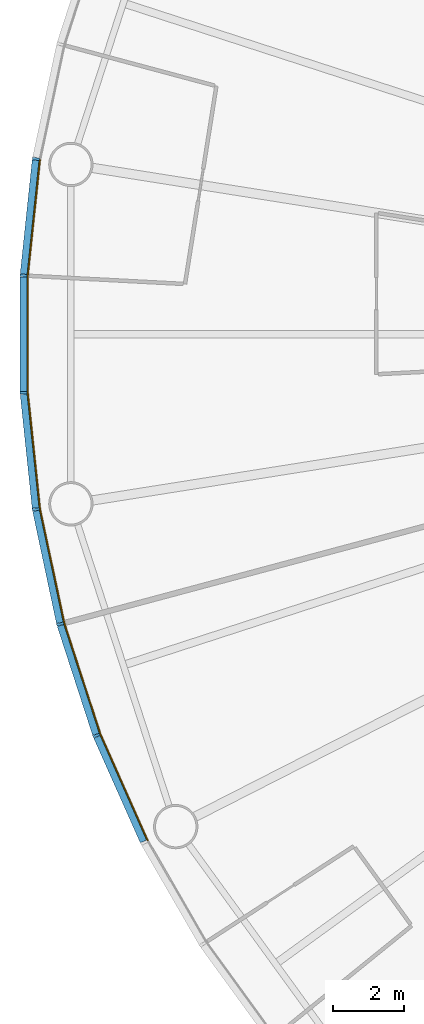
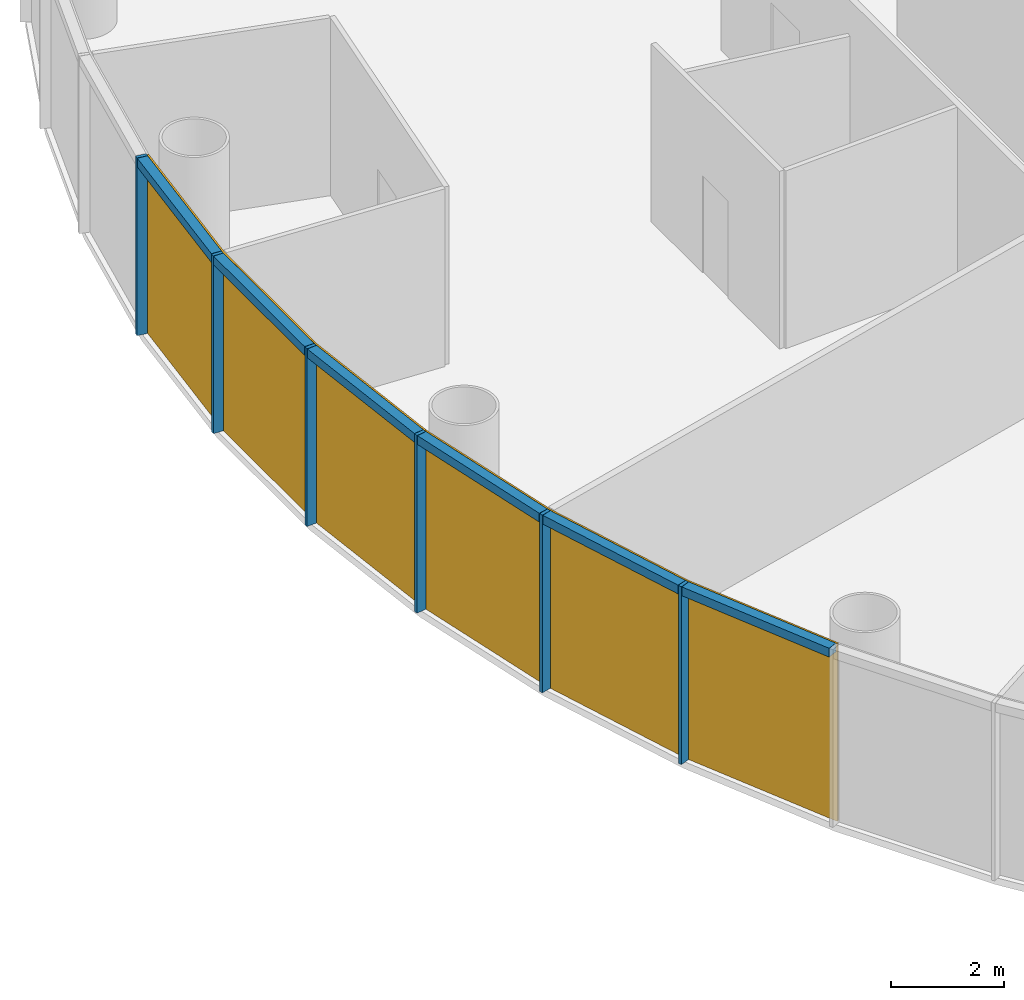
# One storey, part 8 of 13: 12 members, 2 curtain walls.
"""IFC4 building model written with IfcOpenShell, lengths in metres."""

import ifcopenshell
import ifcopenshell.guid

model = None  # the IFC model being written
_history = None  # IfcOwnerHistory: only IFC2X3 demands one
_inside = {}  # id of a spatial element -> (the spatial element, [elements in it])
_under = {}  # id of a project, library or spatial element -> (it, [spatial elements below it])
_declared = {}  # id of a project -> (the project, [libraries it declares])
_typed = {}  # id of a type object -> (the type object, [elements of that type])
_made_of = {}  # id of a material, layer set ... -> (it, [elements and type objects made of it])


def new_model(schema):
    """Start an empty IFC model of exactly this schema.

    Asked for "IFC4X3", IfcOpenShell would pick the latest addendum, in which some entities
    have other attributes; the version numbers below select the first issue.
    IFC2X3 requires an IfcOwnerHistory on every rooted entity: one is made here for all.
    """
    global model, _history
    if schema == "IFC4X3":
        model = ifcopenshell.file(schema_version=(4, 3, 0, 0))
    else:
        model = ifcopenshell.file(schema=schema)
    _inside.clear()
    _under.clear()
    _declared.clear()
    _typed.clear()
    _made_of.clear()
    _history = None
    if model.schema == "IFC2X3":
        org = make("IfcOrganization", Name="unknown")
        user = make(
            "IfcPersonAndOrganization",
            ThePerson=make("IfcPerson", FamilyName="unknown"),
            TheOrganization=org,
        )
        app = make(
            "IfcApplication",
            ApplicationDeveloper=org,
            Version="unknown",
            ApplicationFullName="unknown",
            ApplicationIdentifier="unknown",
        )
        _history = make(
            "IfcOwnerHistory",
            OwningUser=user,
            OwningApplication=app,
            ChangeAction="ADDED",
            CreationDate=0,
        )
    return model


def make(cls, **values):
    """One entity of the class cls with the attributes given. An attribute that is None is left unset."""
    return model.create_entity(
        cls, **{name: value for name, value in values.items() if value is not None}
    )


def rooted(cls, **values):
    """An entity with a GlobalId (a new one), such as an element, a storey or a relation."""
    return make(cls, GlobalId=ifcopenshell.guid.new(), OwnerHistory=_history, **values)


def si_unit(unit_type, name, prefix=None):
    """IfcSIUnit, for example si_unit("LENGTHUNIT", "METRE", prefix="MILLI")."""
    return make("IfcSIUnit", UnitType=unit_type, Prefix=prefix, Name=name)


def assignment(units):
    """IfcUnitAssignment: the units of a project."""
    return None if units is None else make("IfcUnitAssignment", Units=units)


def point(xyz):
    """IfcCartesianPoint."""
    return None if xyz is None else make("IfcCartesianPoint", Coordinates=xyz)


def direction(xyz):
    """IfcDirection."""
    return None if xyz is None else make("IfcDirection", DirectionRatios=xyz)


def frame(location, z_axis=None, x_axis=None):
    """IfcAxis2Placement3D, a coordinate frame: its origin and axes. An axis left out is left unset."""
    return make(
        "IfcAxis2Placement3D",
        Location=point(location),
        Axis=direction(z_axis),
        RefDirection=direction(x_axis),
    )


def frame_2d(location, x_axis=None):
    """IfcAxis2Placement2D, a coordinate frame in the plane: its origin and x axis."""
    return make(
        "IfcAxis2Placement2D", Location=point(location), RefDirection=direction(x_axis)
    )


def origin():
    """The frame at (0, 0, 0) with its axes left unset."""
    return frame((0.0, 0.0, 0.0))


def origin_2d():
    """The frame at (0, 0) in the plane with its x axis left unset."""
    return frame_2d((0.0, 0.0))


def place(relative_to, where):
    """IfcLocalPlacement: puts the frame where relative to a parent placement (None: the world)."""
    return make(
        "IfcLocalPlacement", PlacementRelTo=relative_to, RelativePlacement=where
    )


def context(
    kind, dimensions, precision=None, world=None, true_north=None, identifier=None
):
    """IfcGeometricRepresentationContext, for example the 3D "Model" context."""
    return make(
        "IfcGeometricRepresentationContext",
        ContextIdentifier=identifier,
        ContextType=kind,
        CoordinateSpaceDimension=dimensions,
        Precision=precision,
        WorldCoordinateSystem=world,
        TrueNorth=true_north,
    )


def subcontext(parent, identifier, kind, view, scale=None):
    """IfcGeometricRepresentationSubContext, for example "Body" below "Model"."""
    return make(
        "IfcGeometricRepresentationSubContext",
        ContextIdentifier=identifier,
        ContextType=kind,
        ParentContext=parent,
        TargetScale=scale,
        TargetView=view,
    )


def project(units=None, contexts=None):
    """IfcProject with its units and contexts."""
    return rooted(
        "IfcProject",
        Name="project",
        RepresentationContexts=contexts,
        UnitsInContext=assignment(units),
    )


def spatial(cls, under=None, at=None, **own):
    """A site, building, storey or space (cls), placed at a placement, below another one or the project."""
    s = rooted(cls, ObjectPlacement=at, **own)
    if under is not None:
        _under.setdefault(under.id(), (under, []))[1].append(s)
    return s


def polyline(points):
    """IfcPolyline through the points."""
    return make("IfcPolyline", Points=[point(p) for p in points])


def profile(cls, at=None, kind="AREA", **sizes):
    """A parametric profile (cls). Its sizes go by their IFC names, for example OverallWidth=200.0."""
    return make(cls, ProfileType=kind, Position=at, **sizes)


def rectangle(**sizes):
    """IfcRectangleProfileDef."""
    return profile("IfcRectangleProfileDef", **sizes)


def outline(outer, holes=None, kind="AREA"):
    """IfcArbitraryClosedProfileDef: a profile drawn as a closed curve; with holes, ...WithVoids."""
    if holes is None:
        return make("IfcArbitraryClosedProfileDef", ProfileType=kind, OuterCurve=outer)
    return make(
        "IfcArbitraryProfileDefWithVoids",
        ProfileType=kind,
        OuterCurve=outer,
        InnerCurves=holes,
    )


def extrude(swept, where, along, depth):
    """IfcExtrudedAreaSolid: the profile swept, set in the frame where, extruded along a direction by depth."""
    return make(
        "IfcExtrudedAreaSolid",
        SweptArea=swept,
        Position=where,
        ExtrudedDirection=direction(along),
        Depth=depth,
    )


def shape(context_of_items, identifier, shape_type, items):
    """IfcShapeRepresentation: the items that make up one representation, for example the "Body"."""
    return make(
        "IfcShapeRepresentation",
        ContextOfItems=context_of_items,
        RepresentationIdentifier=identifier,
        RepresentationType=shape_type,
        Items=items,
    )


def material(Name=None, Category=None):
    """IfcMaterial."""
    return make("IfcMaterial", Name=Name, Category=Category)


def layer(
    of_material, thickness, ventilated=None, Name=None, Category=None, Priority=None
):
    """IfcMaterialLayer: one layer of a wall or slab, of a material (None: an air gap)."""
    return make(
        "IfcMaterialLayer",
        Material=of_material,
        LayerThickness=thickness,
        IsVentilated=ventilated,
        Name=Name,
        Category=Category,
        Priority=Priority,
    )


def layer_set(layers, Name=None):
    """IfcMaterialLayerSet."""
    return make("IfcMaterialLayerSet", MaterialLayers=layers, LayerSetName=Name)


def material_profile(
    of_material, cross_section, Name=None, Category=None, Priority=None
):
    """IfcMaterialProfile: a cross section and its material."""
    return make(
        "IfcMaterialProfile",
        Name=Name,
        Material=of_material,
        Profile=cross_section,
        Priority=Priority,
        Category=Category,
    )


def profile_set(profiles, Name=None, composite=None):
    """IfcMaterialProfileSet."""
    return make(
        "IfcMaterialProfileSet",
        Name=Name,
        MaterialProfiles=profiles,
        CompositeProfile=composite,
    )


def made_of(thing, what):
    """Note that an element or type object is made of a material, layer set ...; save() writes the relation."""
    if what is not None:
        _made_of.setdefault(what.id(), (what, []))[1].append(thing)
    return thing


def type_object(cls, material=None, **own):
    """A type object (cls), such as IfcWallType, which elements share."""
    return made_of(rooted(cls, **own), material)


def element(
    cls,
    number,
    at=None,
    inside=None,
    cuts=None,
    type_object=None,
    material=None,
    context=None,
    identifier="Body",
    shape_type=None,
    held_by="IfcProductDefinitionShape",
    body=None,
    shapes=None,
    **own,
):
    """One element of the class cls, such as IfcWall. Its Tag is "e" and its number.

    at: its placement. inside: the storey or other place that contains it. cuts: it is an
    opening in that element (IfcRelVoidsElement). A single representation is given by context,
    identifier, shape_type and body (its items); several are given by shapes. held_by: the class
    of the entity that holds the representations. save() writes the other relations.
    """
    e = rooted(cls, Tag="e%d" % number, ObjectPlacement=at, **own)
    if body is not None:
        shapes = [shape(context, identifier, shape_type, body)]
    if shapes is not None:
        e.Representation = make(held_by, Representations=shapes)
    if inside is not None:
        _inside.setdefault(inside.id(), (inside, []))[1].append(e)
    if cuts is not None:
        rooted(
            "IfcRelVoidsElement", RelatingBuildingElement=cuts, RelatedOpeningElement=e
        )
    if type_object is not None:
        _typed.setdefault(type_object.id(), (type_object, []))[1].append(e)
    return made_of(e, material)


def aggregate(whole, parts):
    """IfcRelAggregates: a whole, such as a stair, and the parts it consists of."""
    return rooted("IfcRelAggregates", RelatingObject=whole, RelatedObjects=parts)


def save(model, path):
    """Write the relations noted so far, then the file.

    IfcRelAggregates (storeys below a building ...), IfcRelContainedInSpatialStructure (elements
    in a storey), IfcRelDefinesByType, IfcRelAssociatesMaterial and IfcRelDeclares: one each for
    every whole, place, type object, material and project.
    """
    for whole, parts in _under.values():
        aggregate(whole, parts)
    for where, things in _inside.values():
        rooted(
            "IfcRelContainedInSpatialStructure",
            RelatedElements=things,
            RelatingStructure=where,
        )
    for kind, things in _typed.values():
        rooted("IfcRelDefinesByType", RelatedObjects=things, RelatingType=kind)
    for what, things in _made_of.values():
        rooted("IfcRelAssociatesMaterial", RelatedObjects=things, RelatingMaterial=what)
    for by, libraries in _declared.values():
        rooted("IfcRelDeclares", RelatingContext=by, RelatedDefinitions=libraries)
    model.write(path)


model = new_model("IFC4")

# Units and contexts
model_context = context("Model", 3, precision=1e-05, world=origin(), true_north=direction((0.0, 1.0)))
body_context = subcontext(model_context, "Body", "Model", "MODEL_VIEW")
ifc_project = project(units=[si_unit("LENGTHUNIT", "METRE"), si_unit("AREAUNIT", "SQUARE_METRE"), si_unit("VOLUMEUNIT", "CUBIC_METRE"), si_unit("PLANEANGLEUNIT", "RADIAN"), si_unit("MASSUNIT", "GRAM", prefix="KILO")], contexts=[model_context])

# Member
ifc_material_1 = material(Name="Anodised aluminium", Category="aluminium")
ifc_material_profile_1 = material_profile(ifc_material_1, rectangle(XDim=0.070068359375, YDim=0.199951171875, at=origin_2d()), Name="Mullion 70 x 200 mm anodised aluminium")
ifc_profile_set_1 = profile_set([ifc_material_profile_1], Name="Anodised aluminium")
member_type_1 = type_object("IfcMemberType", Name="Mullion 70 x 200 mm anodised aluminium", PredefinedType="MULLION", material=ifc_profile_set_1)
site_placement = place(None, origin())
building_placement = place(site_placement, origin())
storey_placement = place(building_placement, frame((0.0, 0.0, 84.0)))
member_1_placement = place(storey_placement, frame((58.7890625, 84.943359375, 0.0), z_axis=(0.0, 0.0, 1.0), x_axis=(-0.15643446504, -0.987688340595, 0.0)))
member_1 = element("IfcMember", 1, at=member_1_placement, type_object=member_type_1, Name="MULLION L18-27", PredefinedType="MULLION", context=body_context, shape_type="SweptSolid", body=[
    extrude(rectangle(XDim=0.070068359375, YDim=0.199951171875, at=origin_2d()), origin(), (0.0, 0.0, 1.0), 3.85009765625),
])

member_2_placement = place(storey_placement, frame((58.443359375, 81.65380859375, 0.0), z_axis=(0.0, 0.0, 1.0), x_axis=(-0.052335956243, -0.998629534755, 0.0)))
member_2 = element("IfcMember", 2, at=member_2_placement, type_object=member_type_1, Name="MULLION L18-28", PredefinedType="MULLION", context=body_context, shape_type="SweptSolid", body=[
    extrude(rectangle(XDim=0.070068359375, YDim=0.199951171875, at=origin_2d()), origin(), (0.0, 0.0, 1.0), 3.85009765625),
])

member_3_placement = place(storey_placement, frame((58.443359375, 78.34619140625, 0.0), z_axis=(0.0, 0.0, 1.0), x_axis=(0.052335956243, -0.998629534755, 0.0)))
member_3 = element("IfcMember", 3, at=member_3_placement, type_object=member_type_1, Name="MULLION L18-29", PredefinedType="MULLION", context=body_context, shape_type="SweptSolid", body=[
    extrude(rectangle(XDim=0.070068359375, YDim=0.199951171875, at=origin_2d()), origin(), (0.0, 0.0, 1.0), 3.85009765625),
])

member_4_placement = place(storey_placement, frame((58.7890625, 75.056640625, 0.0), z_axis=(0.0, 0.0, 1.0), x_axis=(0.15643446504, -0.987688340595, 0.0)))
member_4 = element("IfcMember", 4, at=member_4_placement, type_object=member_type_1, Name="MULLION L18-30", PredefinedType="MULLION", context=body_context, shape_type="SweptSolid", body=[
    extrude(rectangle(XDim=0.070068359375, YDim=0.199951171875, at=origin_2d()), origin(), (0.0, 0.0, 1.0), 3.85009765625),
])

member_5_placement = place(storey_placement, frame((59.476806640625, 71.8212890625, 0.0), z_axis=(0.0, 0.0, 1.0), x_axis=(0.258819045103, -0.965925826289, 0.0)))
member_5 = element("IfcMember", 5, at=member_5_placement, type_object=member_type_1, Name="MULLION L18-31", PredefinedType="MULLION", context=body_context, shape_type="SweptSolid", body=[
    extrude(rectangle(XDim=0.070068359375, YDim=0.199951171875, at=origin_2d()), origin(), (0.0, 0.0, 1.0), 3.85009765625),
])

member_6_placement = place(storey_placement, frame((60.498779296875, 68.675537109375, 0.0), z_axis=(0.0, 0.0, 1.0), x_axis=(0.358367949545, -0.933580426497, 0.0)))
member_6 = element("IfcMember", 6, at=member_6_placement, type_object=member_type_1, Name="MULLION L18-32", PredefinedType="MULLION", context=body_context, shape_type="SweptSolid", body=[
    extrude(rectangle(XDim=0.070068359375, YDim=0.199951171875, at=origin_2d()), origin(), (0.0, 0.0, 1.0), 3.85009765625),
])

ifc_material_2 = material(Name="Anodised aluminium", Category="aluminium")
ifc_material_profile_2 = material_profile(ifc_material_2, rectangle(XDim=0.199951171875, YDim=0.18994140625, at=origin_2d()), Name="Transom 190 x 200 mm anodised aluminium")
ifc_profile_set_2 = profile_set([ifc_material_profile_2], Name="Anodised aluminium")
member_type_2 = type_object("IfcMemberType", Name="Transom 190 x 200 mm anodised aluminium", PredefinedType="USERDEFINED", material=ifc_profile_set_2)
member_7_placement = place(storey_placement, frame((58.78466796875, 84.9033203125, 3.7548828125), z_axis=(-0.104550890115, -0.994519537956, 0.0), x_axis=(0.994519537956, -0.104550890115, 0.0)))
member_7 = element("IfcMember", 7, at=member_7_placement, type_object=member_type_2, Name="TRANSOM L18-27", ObjectType="TRANSOM", PredefinedType="USERDEFINED", context=body_context, shape_type="SweptSolid", body=[
    extrude(rectangle(XDim=0.199951171875, YDim=0.18994140625, at=origin_2d()), origin(), (0.0, 0.0, 1.0), 3.22705078125),
])

member_8_placement = place(storey_placement, frame((58.443115234375, 81.613525390625, 3.7548828125), z_axis=(0.0, -1.0, 0.0), x_axis=(1.0, 0.0, 0.0)))
member_8 = element("IfcMember", 8, at=member_8_placement, type_object=member_type_2, Name="TRANSOM L18-28", ObjectType="TRANSOM", PredefinedType="USERDEFINED", context=body_context, shape_type="SweptSolid", body=[
    extrude(rectangle(XDim=0.199951171875, YDim=0.18994140625, at=origin_2d()), origin(), (0.0, 0.0, 1.0), 3.22705078125),
])

member_9_placement = place(storey_placement, frame((58.447265625, 78.30615234375, 3.7548828125), z_axis=(0.104550890115, -0.994519537956, 0.0), x_axis=(0.994519537956, 0.104550890115, 0.0)))
member_9 = element("IfcMember", 9, at=member_9_placement, type_object=member_type_2, Name="TRANSOM L18-29", ObjectType="TRANSOM", PredefinedType="USERDEFINED", context=body_context, shape_type="SweptSolid", body=[
    extrude(rectangle(XDim=0.199951171875, YDim=0.18994140625, at=origin_2d()), origin(), (0.0, 0.0, 1.0), 3.22705078125),
])

member_10_placement = place(storey_placement, frame((58.79736328125, 75.017333984375, 3.7548828125), z_axis=(0.207885898771, -0.978153082647, 0.0), x_axis=(0.978153082647, 0.207885898771, 0.0)))
member_10 = element("IfcMember", 10, at=member_10_placement, type_object=member_type_2, Name="TRANSOM L18-30", ObjectType="TRANSOM", PredefinedType="USERDEFINED", context=body_context, shape_type="SweptSolid", body=[
    extrude(rectangle(XDim=0.199951171875, YDim=0.18994140625, at=origin_2d()), origin(), (0.0, 0.0, 1.0), 3.227294921875),
])

member_11_placement = place(storey_placement, frame((59.489013671875, 71.782958984375, 3.7548828125), z_axis=(0.309046726844, -0.951046855117, 0.0), x_axis=(0.951046855117, 0.309046726844, 0.0)))
member_11 = element("IfcMember", 11, at=member_11_placement, type_object=member_type_2, Name="TRANSOM L18-31", ObjectType="TRANSOM", PredefinedType="USERDEFINED", context=body_context, shape_type="SweptSolid", body=[
    extrude(rectangle(XDim=0.199951171875, YDim=0.18994140625, at=origin_2d()), origin(), (0.0, 0.0, 1.0), 3.22705078125),
])

member_12_placement = place(storey_placement, frame((60.51513671875, 68.638671875, 3.7548828125), z_axis=(0.406728032322, -0.913549291349, 0.0), x_axis=(0.913549291349, 0.406728032322, 0.0)))
member_12 = element("IfcMember", 12, at=member_12_placement, type_object=member_type_2, Name="TRANSOM L18-32", ObjectType="TRANSOM", PredefinedType="USERDEFINED", context=body_context, shape_type="SweptSolid", body=[
    extrude(rectangle(XDim=0.199951171875, YDim=0.18994140625, at=origin_2d()), origin(), (0.0, 0.0, 1.0), 3.22705078125),
])

# Site, building, storey
site = spatial("IfcSite", under=ifc_project, at=site_placement, CompositionType="ELEMENT")
building = spatial("IfcBuilding", under=site, at=building_placement, Name="Entoto Ring Tower", CompositionType="ELEMENT")
storey = spatial("IfcBuildingStorey", under=building, at=storey_placement, Name="L18", CompositionType="ELEMENT", Elevation=84.0)

# Curtain wall
ifc_material_3 = material(Name="Clear low-iron glass", Category="glass")
ifc_layer = layer(ifc_material_3, 0.035888671875)
ifc_layer_set = layer_set([ifc_layer], Name="Clear low-iron glass")
curtain_wall_type = type_object("IfcCurtainWallType", Name="Curtain wall system CW2 glazing 36 mm", PredefinedType="NOTDEFINED", material=ifc_layer_set)
curtain_wall_1_placement = place(storey_placement, origin())
curtain_wall_1 = element("IfcCurtainWall", 13, at=curtain_wall_1_placement, inside=storey, type_object=curtain_wall_type, Name="CW2 L18-10", PredefinedType="NOTDEFINED", context=body_context, shape_type="SweptSolid", body=[
    extrude(outline(polyline([(58.8876953125, 84.927734375), (58.543212890625, 81.648681640625), (58.543212890625, 78.351318359375), (58.8876953125, 75.072265625), (58.92333984375, 75.077880859375), (58.5791015625, 78.353271484375), (58.5791015625, 81.646728515625), (58.92333984375, 84.922119140625), (58.8876953125, 84.927734375)])), origin(), (0.0, 0.0, 1.0), 3.85009765625),
])

aggregate(curtain_wall_1, [member_1, member_2, member_3, member_7, member_8, member_9])

curtain_wall_2_placement = place(storey_placement, origin())
curtain_wall_2 = element("IfcCurtainWall", 14, at=curtain_wall_2_placement, inside=storey, type_object=curtain_wall_type, Name="CW2 L18-11", PredefinedType="NOTDEFINED", context=body_context, shape_type="SweptSolid", body=[
    extrude(outline(polyline([(58.8876953125, 75.072265625), (59.5732421875, 71.84716796875), (60.59228515625, 68.71142578125), (61.933349609375, 65.69921875), (61.96533203125, 65.715576171875), (60.6259765625, 68.724365234375), (59.608154296875, 71.8564453125), (58.92333984375, 75.077880859375), (58.8876953125, 75.072265625)])), origin(), (0.0, 0.0, 1.0), 3.85009765625),
])

aggregate(curtain_wall_2, [member_4, member_5, member_6, member_10, member_11, member_12])

save(model, "model.ifc")
